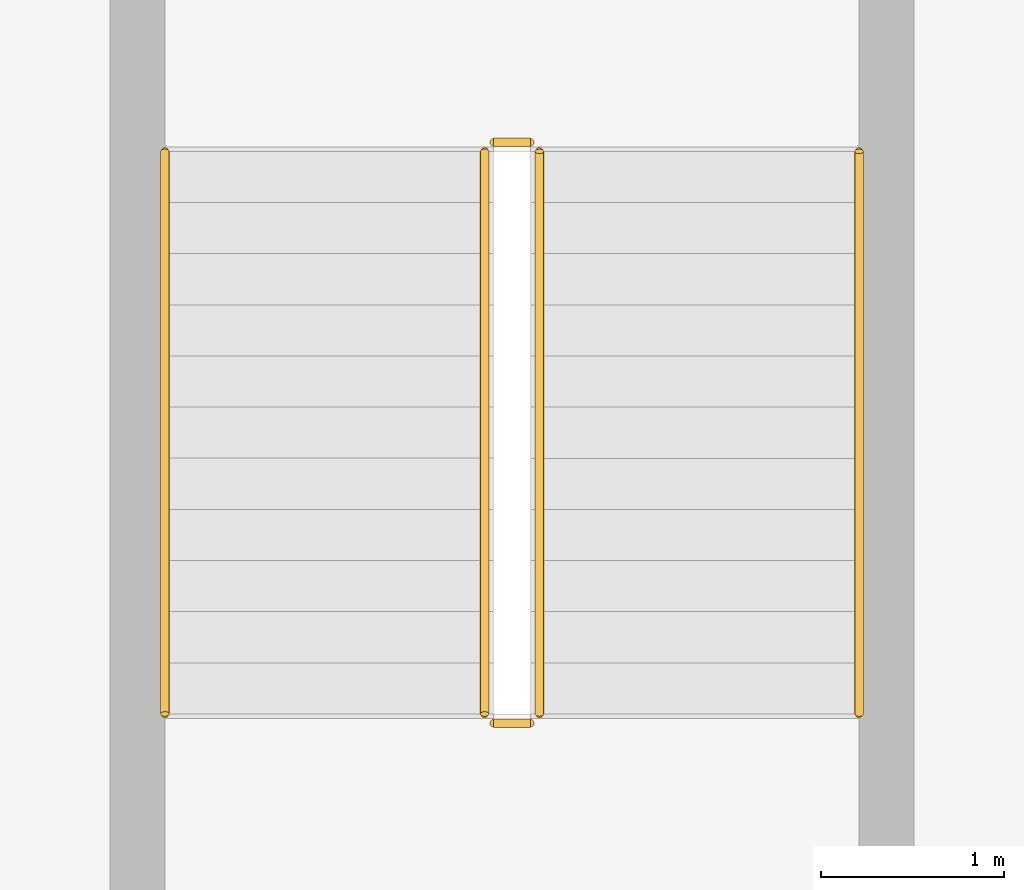
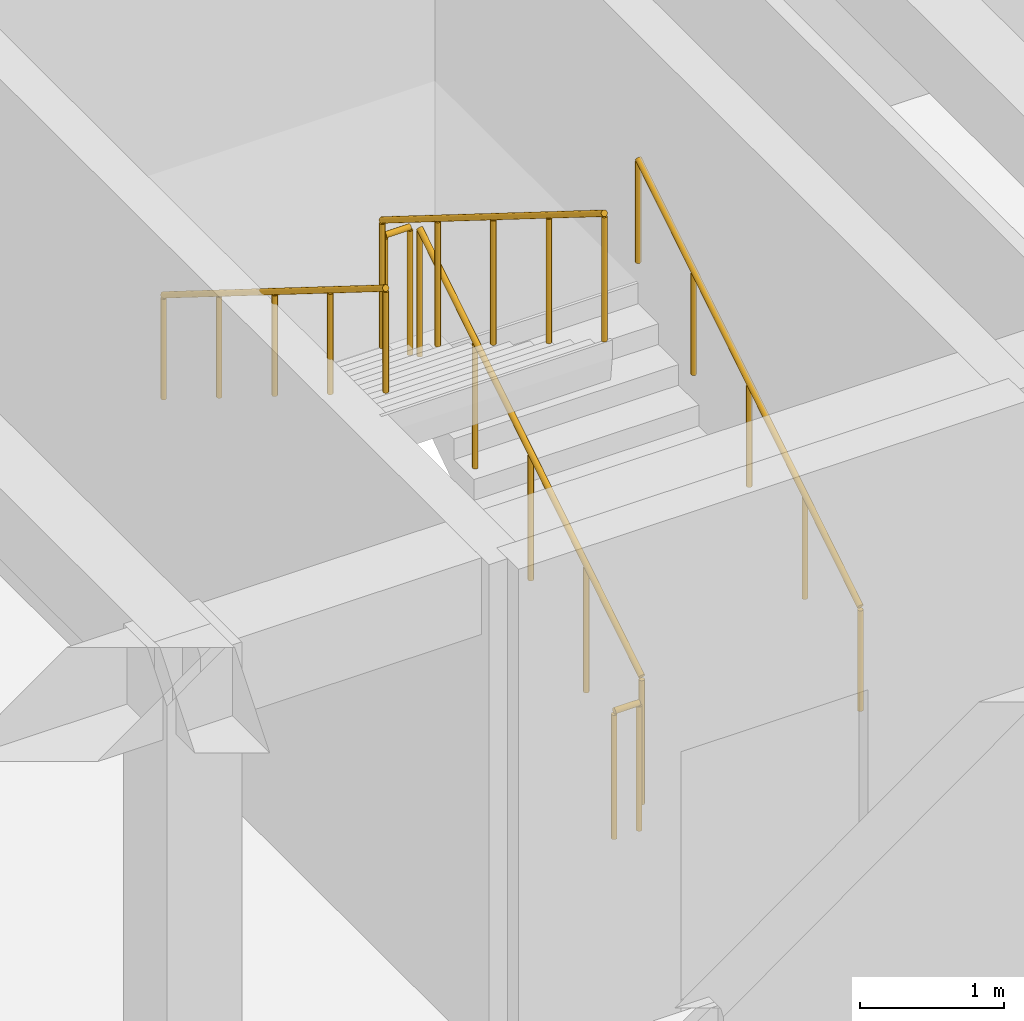
# One storey, part 66 of 77: 6 railings.
"""IFC4 building model written with IfcOpenShell, lengths in metres."""

from ifc_helpers import new_model, si_unit, direction, frame, origin, origin_2d, place, context, subcontext, project, spatial, circle, extrude, material, type_object, element, save


model = new_model("IFC4")

# Units and contexts
model_context = context("Model", 3, precision=1e-05, world=origin(), true_north=direction((0.0, 1.0)))
body_context = subcontext(model_context, "Body", "Model", "MODEL_VIEW")
ifc_project = project(units=[si_unit("LENGTHUNIT", "METRE"), si_unit("AREAUNIT", "SQUARE_METRE"), si_unit("VOLUMEUNIT", "CUBIC_METRE"), si_unit("PLANEANGLEUNIT", "RADIAN"), si_unit("MASSUNIT", "GRAM", prefix="KILO")], contexts=[model_context])

# Site, building, storey
site_placement = place(None, origin())
site = spatial("IfcSite", under=ifc_project, at=site_placement, CompositionType="ELEMENT")
building_placement = place(site_placement, origin())
building = spatial("IfcBuilding", under=site, at=building_placement, Name="Varncliffe General Hospital", CompositionType="ELEMENT")
storey_placement = place(building_placement, frame((0.0, 0.0, 16.199951171875)))
storey = spatial("IfcBuildingStorey", under=building, at=storey_placement, Name="L03", CompositionType="ELEMENT", Elevation=16.199951171875)

# Railings
ifc_material = material(Name="Powder-coated hospital steel guardrail and handrail", Category="steel")
railing_type_1 = type_object("IfcRailingType", Name="Stair and Ramp Handrail HR46", PredefinedType="HANDRAIL", material=ifc_material)
railing_1_placement = place(storey_placement, frame((56.75, 118.0, 0.35400390625)))
element("IfcRailing", 1, at=railing_1_placement, inside=storey, type_object=railing_type_1, Name="L03 ST02 stair handrail 1", PredefinedType="HANDRAIL", context=body_context, shape_type="SweptSolid", body=[
    extrude(circle(Radius=0.02392578125, at=origin_2d()), frame((0.0, 0.0, 0.8759765625), z_axis=(0.0, 0.847998304005, 0.529998940003), x_axis=(-1.0, 0.0, 0.0)), (0.0, 0.0, 1.0), 3.632080078125),
    extrude(circle(Radius=0.02099609375, at=origin_2d()), origin(), (0.0, 0.0, 1.0), 0.851806640625),
    extrude(circle(Radius=0.02099609375, at=origin_2d()), frame((0.0, 0.77001953125, 0.481201171875)), (0.0, 0.0, 1.0), 0.851806640625),
    extrude(circle(Radius=0.02099609375, at=origin_2d()), frame((0.0, 1.5400390625, 0.96240234375)), (0.0, 0.0, 1.0), 0.851806640625),
    extrude(circle(Radius=0.02099609375, at=origin_2d()), frame((0.0, 2.31005859375, 1.44384765625)), (0.0, 0.0, 1.0), 0.851806640625),
    extrude(circle(Radius=0.02099609375, at=origin_2d()), frame((0.0, 3.080078125, 1.925048828125)), (0.0, 0.0, 1.0), 0.851806640625),
])
railing_2_placement = place(storey_placement, frame((52.949951171875, 121.080078125, 2.4541015625)))
element("IfcRailing", 2, at=railing_2_placement, inside=storey, type_object=railing_type_1, Name="L03 ST02 stair handrail 2", PredefinedType="HANDRAIL", context=body_context, shape_type="SweptSolid", body=[
    extrude(circle(Radius=0.02392578125, at=origin_2d()), frame((0.0, 0.0, 0.8759765625), z_axis=(0.0, -0.847998304005, 0.529998940003), x_axis=(1.0, 0.0, 0.0)), (0.0, 0.0, 1.0), 3.632080078125),
    extrude(circle(Radius=0.02099609375, at=origin_2d()), origin(), (0.0, 0.0, 1.0), 0.851806640625),
    extrude(circle(Radius=0.02099609375, at=origin_2d()), frame((0.0, -0.77001953125, 0.481201171875)), (0.0, 0.0, 1.0), 0.851806640625),
    extrude(circle(Radius=0.02099609375, at=origin_2d()), frame((0.0, -1.5400390625, 0.96240234375)), (0.0, 0.0, 1.0), 0.851806640625),
    extrude(circle(Radius=0.02099609375, at=origin_2d()), frame((0.0, -2.31005859375, 1.44384765625)), (0.0, 0.0, 1.0), 0.851806640625),
    extrude(circle(Radius=0.02099609375, at=origin_2d()), frame((0.0, -3.080078125, 1.925048828125)), (0.0, 0.0, 1.0), 0.851806640625),
])
railing_type_2 = type_object("IfcRailingType", Name="Stairwell Guardrail SG49", PredefinedType="GUARDRAIL", material=ifc_material)
railing_3_placement = place(storey_placement, frame((55.0, 118.0, 0.175048828125)))
element("IfcRailing", 3, at=railing_3_placement, inside=storey, type_object=railing_type_2, Name="L03 ST02 stair guard 1", PredefinedType="GUARDRAIL", context=body_context, shape_type="SweptSolid", body=[
    extrude(circle(Radius=0.02392578125, at=origin_2d()), frame((0.0, 0.0, 1.076171875), z_axis=(0.0, 0.847998304005, 0.529998940003), x_axis=(-1.0, 0.0, 0.0)), (0.0, 0.0, 1.0), 3.632080078125),
    extrude(circle(Radius=0.02099609375, at=origin_2d()), origin(), (0.0, 0.0, 1.0), 1.052001953125),
    extrude(circle(Radius=0.02099609375, at=origin_2d()), frame((0.0, 0.77001953125, 0.481201171875)), (0.0, 0.0, 1.0), 1.052001953125),
    extrude(circle(Radius=0.02099609375, at=origin_2d()), frame((0.0, 1.5400390625, 0.96240234375)), (0.0, 0.0, 1.0), 1.052001953125),
    extrude(circle(Radius=0.02099609375, at=origin_2d()), frame((0.0, 2.31005859375, 1.44384765625)), (0.0, 0.0, 1.0), 1.052001953125),
    extrude(circle(Radius=0.02099609375, at=origin_2d()), frame((0.0, 3.080078125, 1.925048828125)), (0.0, 0.0, 1.0), 1.052001953125),
])
railing_4_placement = place(storey_placement, frame((54.949951171875, 121.1298828125, 2.10009765625)))
element("IfcRailing", 4, at=railing_4_placement, inside=storey, type_object=railing_type_2, Name="L03 ST02 stair guard 2", PredefinedType="GUARDRAIL", context=body_context, shape_type="SweptSolid", body=[
    extrude(circle(Radius=0.02392578125, at=origin_2d()), frame((0.0, 0.0, 1.076171875), z_axis=(-1.0, 0.0, 0.0), x_axis=(0.0, -1.0, 0.0)), (0.0, 0.0, 1.0), 0.199951171875),
    extrude(circle(Radius=0.02099609375, at=origin_2d()), origin(), (0.0, 0.0, 1.0), 1.052001953125),
    extrude(circle(Radius=0.02099609375, at=origin_2d()), frame((-0.199951171875, 0.0, 0.0)), (0.0, 0.0, 1.0), 1.052001953125),
])
railing_5_placement = place(storey_placement, frame((54.699951171875, 121.080078125, 2.275146484375)))
element("IfcRailing", 5, at=railing_5_placement, inside=storey, type_object=railing_type_2, Name="L03 ST02 stair guard 3", PredefinedType="GUARDRAIL", context=body_context, shape_type="SweptSolid", body=[
    extrude(circle(Radius=0.02392578125, at=origin_2d()), frame((0.0, 0.0, 1.076171875), z_axis=(0.0, -0.848028513186, 0.529950602248), x_axis=(1.0, 0.0, 0.0)), (0.0, 0.0, 1.0), 3.632080078125),
    extrude(circle(Radius=0.02099609375, at=origin_2d()), origin(), (0.0, 0.0, 1.0), 1.052001953125),
    extrude(circle(Radius=0.02099609375, at=origin_2d()), frame((0.0, -0.77001953125, 0.481201171875)), (0.0, 0.0, 1.0), 1.052001953125),
    extrude(circle(Radius=0.02099609375, at=origin_2d()), frame((0.0, -1.5400390625, 0.96240234375)), (0.0, 0.0, 1.0), 1.052001953125),
    extrude(circle(Radius=0.02099609375, at=origin_2d()), frame((0.0, -2.31005859375, 1.443603515625)), (0.0, 0.0, 1.0), 1.052001953125),
    extrude(circle(Radius=0.02099609375, at=origin_2d()), frame((0.0, -3.080078125, 1.9248046875)), (0.0, 0.0, 1.0), 1.052001953125),
])
railing_6_placement = place(storey_placement, frame((54.949951171875, 117.949951171875, 0.0)))
element("IfcRailing", 6, at=railing_6_placement, inside=storey, type_object=railing_type_2, Name="L03 ST02 stair guard 4", PredefinedType="GUARDRAIL", context=body_context, shape_type="SweptSolid", body=[
    extrude(circle(Radius=0.02392578125, at=origin_2d()), frame((0.0, 0.0, 1.076171875), z_axis=(-1.0, 0.0, 0.0), x_axis=(0.0, -1.0, 0.0)), (0.0, 0.0, 1.0), 0.199951171875),
    extrude(circle(Radius=0.02099609375, at=origin_2d()), origin(), (0.0, 0.0, 1.0), 1.052001953125),
    extrude(circle(Radius=0.02099609375, at=origin_2d()), frame((-0.199951171875, 0.0, 0.0)), (0.0, 0.0, 1.0), 1.052001953125),
])

save(model, "model.ifc")
